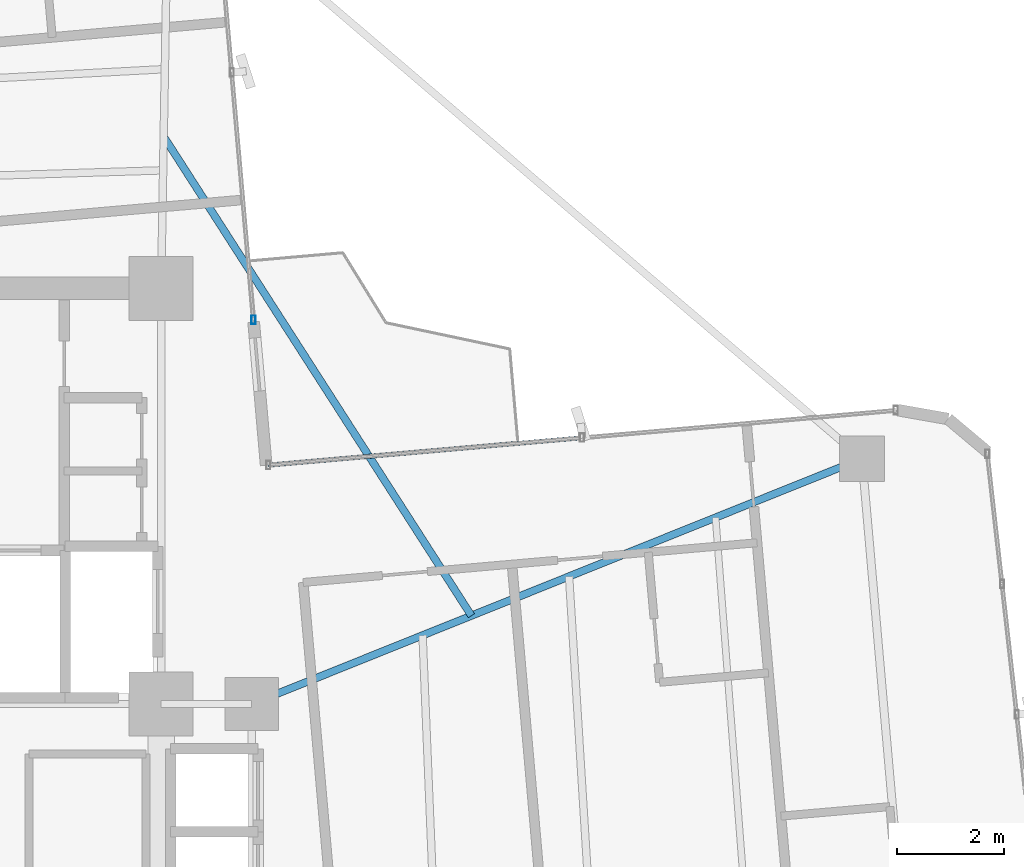
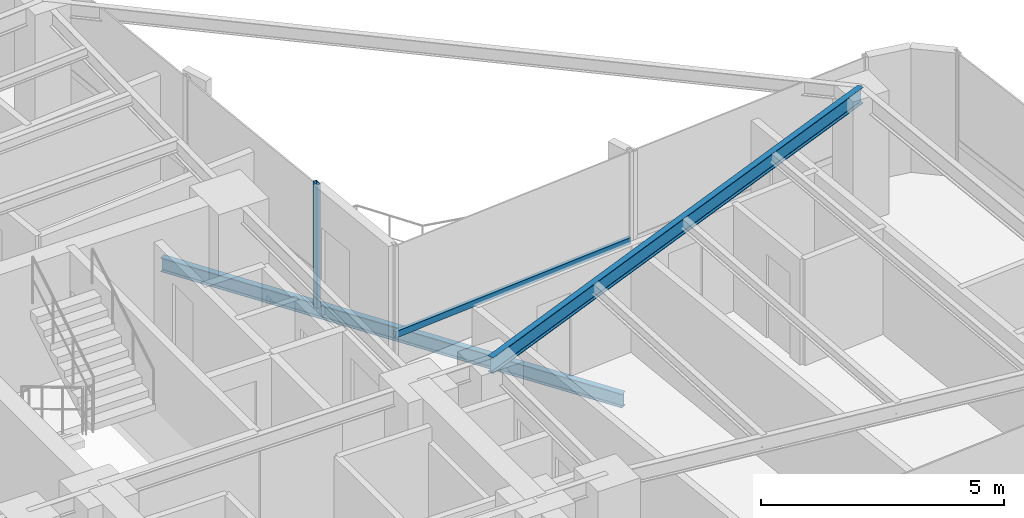
# One storey, part 12 of 24: 2 beams, 2 members, 2 elements without a shape of their own.
"""IFC4 building model written with IfcOpenShell, lengths in metres."""

from ifc_helpers import new_model, si_unit, direction, frame, origin, origin_2d, place, context, subcontext, project, spatial, hollow_rectangle, i_section, extrude, source, transform, mapped, material, material_profile, profile_set, type_object, element, aggregate, save


model = new_model("IFC4")

# Units and contexts
model_context = context("Model", 3, precision=1e-05, world=origin(), true_north=direction((0.0, 1.0)))
body_context = subcontext(model_context, "Body", "Model", "MODEL_VIEW")
ifc_project = project(units=[si_unit("LENGTHUNIT", "METRE"), si_unit("AREAUNIT", "SQUARE_METRE"), si_unit("VOLUMEUNIT", "CUBIC_METRE"), si_unit("PLANEANGLEUNIT", "RADIAN"), si_unit("MASSUNIT", "GRAM", prefix="KILO")], contexts=[model_context])

# Site, building, storey
site_placement = place(None, origin())
site = spatial("IfcSite", under=ifc_project, at=site_placement, CompositionType="ELEMENT")
building_placement = place(site_placement, origin())
building = spatial("IfcBuilding", under=site, at=building_placement, Name="Sahyath Konkavel Grand Hotel", CompositionType="ELEMENT")
storey_placement = place(building_placement, frame((0.0, 0.0, 178.550048828125)))
storey = spatial("IfcBuildingStorey", under=building, at=storey_placement, Name="L49", CompositionType="ELEMENT", Elevation=178.550048828125)

# Beam
ifc_material_1 = material(Name="Steel E350", Category="steel")
ifc_material_profile_1 = material_profile(ifc_material_1, i_section(OverallWidth=0.139892578125, OverallDepth=0.39990234375, WebThickness=0.0087890625, FlangeThickness=0.01611328125, FilletRadius=0.013916015625, at=origin_2d()), Name="ISMB 400")
ifc_profile_set_1 = profile_set([ifc_material_profile_1], Name="Steel E350")
beam_type_1 = type_object("IfcBeamType", Name="BM-ISMB400", PredefinedType="BEAM", material=ifc_profile_set_1)
shared_shape_1 = source(origin(), body_context, "Body", "SweptSolid", [
    extrude(i_section(OverallWidth=0.139892578125, OverallDepth=0.39990234375, WebThickness=0.0087890625, FlangeThickness=0.01611328125, FilletRadius=0.013916015625, at=origin_2d()), origin(), (0.0, 0.0, 1.0), 12.344970703125),
])
beam_1_placement = place(storey_placement, frame((5.5, 2.39990234375, 2.909912109375), z_axis=(0.927837014101, 0.372985891507, 0.0), x_axis=(-0.372985891507, 0.927837014101, 0.0)))
element("IfcBeam", 1, at=beam_1_placement, inside=storey, type_object=beam_type_1, Name="L49 Cruciform Radial Girder EB", PredefinedType="BEAM", context=body_context, shape_type="MappedRepresentation", body=[
    mapped(shared_shape_1, transform((0.0, 0.0, 0.0), scale=1.0)),
])

# Curtain wall, member
ifc_material_2 = material(Name="Anodised Bronze Aluminium & Low-E Glazing", Category="aluminium")
curtain_wall_type = type_object("IfcCurtainWallType", Name="CW-ZONE3", PredefinedType="NOTDEFINED", material=ifc_material_2)
curtain_wall_1_placement = place(storey_placement, origin())
curtain_wall_1 = element("IfcCurtainWall", 2, at=curtain_wall_1_placement, inside=storey, type_object=curtain_wall_type, Name="L49 Unitised Curtain Wall F8", PredefinedType="NOTDEFINED")
ifc_material_3 = material(Name="Anodised Bronze Aluminium", Category="aluminium")
ifc_material_profile_2 = material_profile(ifc_material_3, hollow_rectangle(XDim=0.080078125, YDim=0.159912109375, WallThickness=0.006103515625, at=origin_2d()), Name="RHS 160x80x6")
ifc_profile_set_2 = profile_set([ifc_material_profile_2], Name="Anodised Bronze Aluminium")
member_type_1 = type_object("IfcMemberType", Name="CW-MUL-160", PredefinedType="MULLION", material=ifc_profile_set_2)
shared_shape_2 = source(origin(), body_context, "Body", "SweptSolid", [
    extrude(hollow_rectangle(XDim=0.080078125, YDim=0.159912109375, WallThickness=0.006103515625, at=origin_2d()), origin(), (0.0, 0.0, 1.0), 3.10986328125),
])
member_1_placement = place(storey_placement, frame((5.53369140625, 9.60888671875, 0.0), z_axis=(0.0, 0.0, 1.0), x_axis=(1.0, 0.0, 0.0)))
member_1 = element("IfcMember", 3, at=member_1_placement, type_object=member_type_1, Name="L49 Curtain Wall Mullion F8-0", PredefinedType="MULLION", context=body_context, shape_type="MappedRepresentation", body=[
    mapped(shared_shape_2, transform((0.0, 0.0, 0.0), scale=1.0)),
])
aggregate(curtain_wall_1, [member_1])

curtain_wall_2_placement = place(storey_placement, origin())
curtain_wall_2 = element("IfcCurtainWall", 4, at=curtain_wall_2_placement, inside=storey, type_object=curtain_wall_type, Name="L49 Unitised Curtain Wall F7", PredefinedType="NOTDEFINED")
ifc_material_profile_3 = material_profile(ifc_material_3, hollow_rectangle(XDim=0.080078125, YDim=0.159912109375, WallThickness=0.006103515625, at=origin_2d()), Name="RHS 160x80x6")
ifc_profile_set_3 = profile_set([ifc_material_profile_3], Name="Anodised Bronze Aluminium")
member_type_2 = type_object("IfcMemberType", Name="CW-TRN-160", PredefinedType="USERDEFINED", material=ifc_profile_set_3)
shared_shape_3 = source(origin(), body_context, "Body", "SweptSolid", [
    extrude(hollow_rectangle(XDim=0.080078125, YDim=0.159912109375, WallThickness=0.006103515625, at=origin_2d()), origin(), (0.0, 0.0, 1.0), 5.909912109375),
])
member_2_placement = place(storey_placement, frame((11.69970703125, 7.39794921875, 0.849853515625), z_axis=(-0.996193941691, -0.087164388014, 0.0), x_axis=(0.087164388014, -0.996193941691, 0.0)))
member_2 = element("IfcMember", 5, at=member_2_placement, type_object=member_type_2, Name="L49 Curtain Wall Transom F7-1-spandrel", ObjectType="TRANSOM", PredefinedType="USERDEFINED", context=body_context, shape_type="MappedRepresentation", body=[
    mapped(shared_shape_3, transform((0.0, 0.0, 0.0), scale=1.0)),
])
aggregate(curtain_wall_2, [member_2])

# Beam
ifc_material_profile_4 = material_profile(ifc_material_1, i_section(OverallWidth=0.139892578125, OverallDepth=0.35009765625, WebThickness=0.008056640625, FlangeThickness=0.01416015625, FilletRadius=0.013916015625, at=origin_2d()), Name="ISMB 350")
ifc_profile_set_4 = profile_set([ifc_material_profile_4], Name="Steel E350")
beam_type_2 = type_object("IfcBeamType", Name="BM-BALC-CANT", PredefinedType="BEAM", material=ifc_profile_set_4)
shared_shape_4 = source(origin(), body_context, "Body", "SweptSolid", [
    extrude(i_section(OverallWidth=0.139892578125, OverallDepth=0.35009765625, WebThickness=0.008056640625, FlangeThickness=0.01416015625, FilletRadius=0.013916015625, at=origin_2d()), origin(), (0.0, 0.0, 1.0), 10.685302734375),
])
beam_2_placement = place(storey_placement, frame((9.62353515625, 4.0576171875, -0.4150390625), z_axis=(-0.540404181048, 0.841405562797, 0.0), x_axis=(-0.841405562797, -0.540404181048, 0.0)))
element("IfcBeam", 6, at=beam_2_placement, inside=storey, type_object=beam_type_2, Name="L49 Balcony Cantilever Support Beam NE", PredefinedType="BEAM", context=body_context, shape_type="MappedRepresentation", body=[
    mapped(shared_shape_4, transform((0.0, 0.0, 0.0), scale=1.0)),
])

save(model, "model.ifc")
